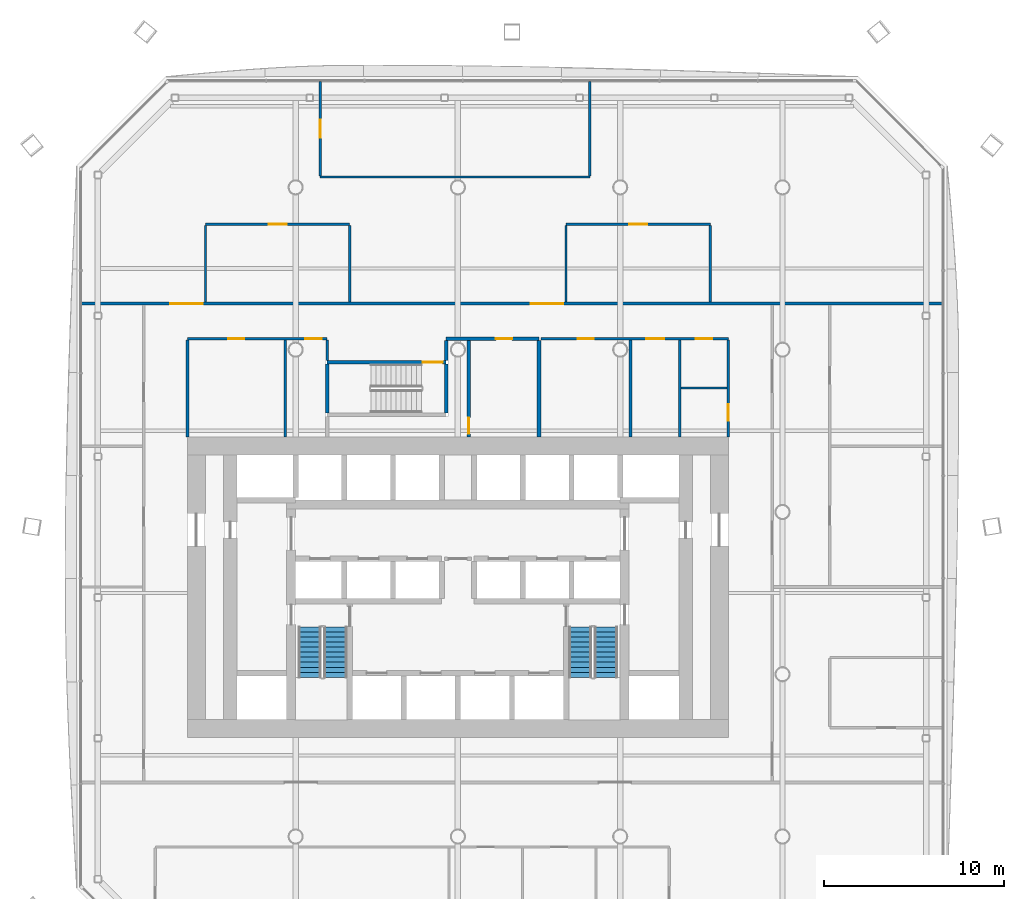
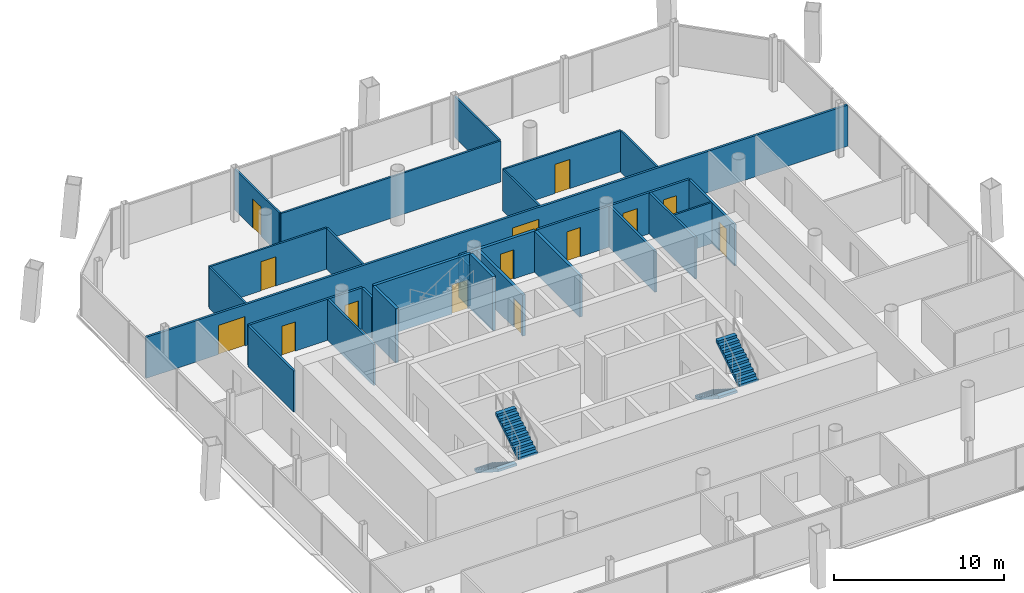
# One storey, part 13 of 19: 26 walls, 14 doors, 4 stair flights, 14 openings, 2 elements without a shape of their own.
"""IFC4 building model written with IfcOpenShell, lengths in metres."""

from ifc_helpers import new_model, si_unit, direction, frame, frame_2d, origin, place, context, subcontext, project, spatial, polyline, rectangle, outline, extrude, material, layer, layer_set, type_object, element, fill, aggregate, save


model = new_model("IFC4")

# Units and contexts
model_context = context("Model", 3, precision=1e-05, world=origin(), true_north=direction((0.0, 1.0)))
body_context = subcontext(model_context, "Body", "Model", "MODEL_VIEW")
ifc_project = project(units=[si_unit("LENGTHUNIT", "METRE"), si_unit("AREAUNIT", "SQUARE_METRE"), si_unit("VOLUMEUNIT", "CUBIC_METRE"), si_unit("PLANEANGLEUNIT", "RADIAN"), si_unit("MASSUNIT", "GRAM", prefix="KILO")], contexts=[model_context])

# Site, building, storey
site_placement = place(None, origin())
site = spatial("IfcSite", under=ifc_project, at=site_placement, CompositionType="ELEMENT")
building_placement = place(site_placement, origin())
building = spatial("IfcBuilding", under=site, at=building_placement, Name="Tskaro Facet Tower", CompositionType="ELEMENT")
storey_placement = place(building_placement, frame((0.0, 0.0, 105.0)))
storey = spatial("IfcBuildingStorey", under=building, at=storey_placement, Name="L25", CompositionType="ELEMENT", Elevation=105.0)

# Wall
ifc_material_1 = material(Name="Gypsum board on steel studs", Category="steel")
ifc_layer_1 = layer(ifc_material_1, 0.125, Name="Gypsum board on steel studs")
ifc_layer_set_1 = layer_set([ifc_layer_1], Name="Gypsum board on steel studs")
wall_type_1 = type_object("IfcWallType", Name="PART", PredefinedType="PARTITIONING", material=ifc_layer_set_1)
wall_1_placement = place(storey_placement, frame((12.375, 6.8779296875, 0.0), z_axis=(0.0, 0.0, 1.0), x_axis=(1.0, 0.0, 0.0)))
element("IfcWall", 1, at=wall_1_placement, inside=storey, type_object=wall_type_1, Name="Partition W020", PredefinedType="PARTITIONING", context=body_context, shape_type="SweptSolid", body=[
    extrude(rectangle(XDim=2.550048828125, YDim=0.125, at=frame_2d((1.27490234375, 0.0))), origin(), (0.0, 0.0, 1.0), 2.9599609375),
])

# Wall, opening, door
wall_2_placement = place(storey_placement, frame((-6.0, 15.955078125, 0.0), z_axis=(0.0, 0.0, 1.0), x_axis=(-1.0, 0.0, 0.0)))
wall_2 = element("IfcWall", 2, at=wall_2_placement, inside=storey, type_object=wall_type_1, Name="Partition W026", PredefinedType="PARTITIONING", context=body_context, shape_type="SweptSolid", body=[
    extrude(rectangle(XDim=8.0, YDim=0.125, at=frame_2d((4.0, 0.0))), origin(), (0.0, 0.0, 1.0), 2.9599609375),
])
opening_1_placement = place(wall_2_placement, frame((3.5, 0.0, 0.0)))
opening_1 = element("IfcOpeningElement", 3, at=opening_1_placement, cuts=wall_2, Name="Opening T7p-D36", PredefinedType="OPENING", context=body_context, shape_type="SweptSolid", body=[
    extrude(rectangle(XDim=1.0, YDim=2.10009765625, at=frame_2d((0.5, 1.050048828125))), frame((0.0, 0.072509765625, 0.0), z_axis=(0.0, -1.0, 0.0), x_axis=(1.0, 0.0, 0.0)), (0.0, 0.0, 1.0), 0.14501953125),
])
ifc_material_2 = material(Name="Timber", Category="wood")
door_type_1 = type_object("IfcDoorType", Name="D-ROOM-WIDE", OperationType="NOTDEFINED", PredefinedType="DOOR", material=ifc_material_2)
door_1_placement = place(opening_1_placement, origin())
door_1 = element("IfcDoor", 4, at=door_1_placement, inside=storey, type_object=door_type_1, Name="Door T7p-D36", OperationType="SINGLE_SWING_RIGHT", OverallHeight=2.10009765625, OverallWidth=1.0, PredefinedType="DOOR", context=body_context, shape_type="SweptSolid", body=[
    extrude(rectangle(XDim=1.0, YDim=2.10009765625, at=frame_2d((0.5, 1.050048828125))), frame((0.0, 0.02490234375, 0.0), z_axis=(0.0, -1.0, 0.0), x_axis=(1.0, 0.0, 0.0)), (0.0, 0.0, 1.0), 0.050048828125),
])
fill(opening_1, door_1)

wall_3_placement = place(storey_placement, frame((14.0, 15.955078125, 0.0), z_axis=(0.0, 0.0, 1.0), x_axis=(-1.0, 0.0, 0.0)))
wall_3 = element("IfcWall", 5, at=wall_3_placement, inside=storey, type_object=wall_type_1, Name="Partition W027", PredefinedType="PARTITIONING", context=body_context, shape_type="SweptSolid", body=[
    extrude(rectangle(XDim=8.0, YDim=0.125, at=frame_2d((4.0, 0.0))), origin(), (0.0, 0.0, 1.0), 2.9599609375),
])
opening_2_placement = place(wall_3_placement, frame((3.5, 0.0, 0.0)))
opening_2 = element("IfcOpeningElement", 6, at=opening_2_placement, cuts=wall_3, Name="Opening T7p-D37", PredefinedType="OPENING", context=body_context, shape_type="SweptSolid", body=[
    extrude(rectangle(XDim=1.0, YDim=2.10009765625, at=frame_2d((0.5, 1.050048828125))), frame((0.0, 0.072509765625, 0.0), z_axis=(0.0, -1.0, 0.0), x_axis=(1.0, 0.0, 0.0)), (0.0, 0.0, 1.0), 0.14501953125),
])
door_2_placement = place(opening_2_placement, origin())
door_2 = element("IfcDoor", 7, at=door_2_placement, inside=storey, type_object=door_type_1, Name="Door T7p-D37", OperationType="SINGLE_SWING_RIGHT", OverallHeight=2.10009765625, OverallWidth=1.0, PredefinedType="DOOR", context=body_context, shape_type="SweptSolid", body=[
    extrude(rectangle(XDim=1.0, YDim=2.10009765625, at=frame_2d((0.5, 1.050048828125))), frame((0.0, 0.02490234375, 0.0), z_axis=(0.0, -1.0, 0.0), x_axis=(1.0, 0.0, 0.0)), (0.0, 0.0, 1.0), 0.050048828125),
])
fill(opening_2, door_2)

# Walls
wall_4_placement = place(storey_placement, frame((-7.634033203125, 18.580078125, 0.0), z_axis=(0.0, 0.0, 1.0), x_axis=(1.0, 0.0, 0.0)))
element("IfcWall", 8, at=wall_4_placement, inside=storey, type_object=wall_type_1, Name="Partition W028", PredefinedType="PARTITIONING", context=body_context, shape_type="SweptSolid", body=[
    extrude(rectangle(XDim=14.9521484375, YDim=0.125, at=frame_2d((7.47607421875, 0.0))), origin(), (0.0, 0.0, 1.0), 2.9599609375),
])
wall_5_placement = place(storey_placement, frame((-14.0, 11.6298828125, 0.0), z_axis=(0.0, 0.0, 1.0), x_axis=(0.0, 1.0, 0.0)))
element("IfcWall", 9, at=wall_5_placement, inside=storey, type_object=wall_type_1, Name="Partition W032", PredefinedType="PARTITIONING", context=body_context, shape_type="SweptSolid", body=[
    extrude(rectangle(XDim=4.2626953125, YDim=0.125, at=frame_2d((2.13134765625, 0.0))), origin(), (0.0, 0.0, 1.0), 2.9599609375),
])

# Wall, opening, door
wall_6_placement = place(storey_placement, frame((-7.634033203125, 23.864990234375, 0.0), z_axis=(0.0, 0.0, 1.0), x_axis=(0.0, -1.0, 0.0)))
wall_6 = element("IfcWall", 10, at=wall_6_placement, inside=storey, type_object=wall_type_1, Name="Partition W035", PredefinedType="PARTITIONING", context=body_context, shape_type="SweptSolid", body=[
    extrude(rectangle(XDim=5.222412109375, YDim=0.125, at=frame_2d((2.611328125, 0.0))), origin(), (0.0, 0.0, 1.0), 2.9599609375),
])
opening_3_placement = place(wall_6_placement, frame((2.111328125, 0.0, 0.0)))
opening_3 = element("IfcOpeningElement", 11, at=opening_3_placement, cuts=wall_6, Name="Opening T7p-D38", PredefinedType="OPENING", context=body_context, shape_type="SweptSolid", body=[
    extrude(rectangle(XDim=1.0, YDim=2.10009765625, at=frame_2d((0.5, 1.050048828125))), frame((0.0, 0.072509765625, 0.0), z_axis=(0.0, -1.0, 0.0), x_axis=(1.0, 0.0, 0.0)), (0.0, 0.0, 1.0), 0.14501953125),
])
door_3_placement = place(opening_3_placement, origin())
door_3 = element("IfcDoor", 12, at=door_3_placement, inside=storey, type_object=door_type_1, Name="Door T7p-D38", OperationType="SINGLE_SWING_RIGHT", OverallHeight=2.10009765625, OverallWidth=1.0, PredefinedType="DOOR", context=body_context, shape_type="SweptSolid", body=[
    extrude(rectangle(XDim=1.0, YDim=2.10009765625, at=frame_2d((0.5, 1.050048828125))), frame((0.0, 0.02490234375, 0.0), z_axis=(0.0, -1.0, 0.0), x_axis=(1.0, 0.0, 0.0)), (0.0, 0.0, 1.0), 0.050048828125),
])
fill(opening_3, door_3)

# Walls
for number, where, z_axis, x_axis, name in (
    (13, (-6.0, 11.6298828125, 0.0), (0.0, 0.0, 1.0), (0.0, 1.0, 0.0), "Partition W042"),
    (14, (6.0, 11.6298828125, 0.0), (0.0, 0.0, 1.0), (0.0, 1.0, 0.0), "Partition W061"),
):
    element("IfcWall", number, at=place(storey_placement, frame(where, z_axis=z_axis, x_axis=x_axis)), inside=storey, type_object=wall_type_1, Name=name, PredefinedType="PARTITIONING", context=body_context, shape_type="SweptSolid", body=[
        extrude(rectangle(XDim=4.2626953125, YDim=0.125, at=frame_2d((2.13134765625, 0.0))), origin(), (0.0, 0.0, 1.0), 2.9599609375),
    ])
wall_7_placement = place(storey_placement, frame((7.318115234375, 18.642578125, 0.0), z_axis=(0.0, 0.0, 1.0), x_axis=(0.0, 1.0, 0.0)))
element("IfcWall", 15, at=wall_7_placement, inside=storey, type_object=wall_type_1, Name="Partition W064", PredefinedType="PARTITIONING", context=body_context, shape_type="SweptSolid", body=[
    extrude(rectangle(XDim=5.222412109375, YDim=0.125, at=frame_2d((2.611328125, 0.0))), origin(), (0.0, 0.0, 1.0), 2.9599609375),
])
wall_8_placement = place(storey_placement, frame((14.0, 11.6298828125, 0.0), z_axis=(0.0, 0.0, 1.0), x_axis=(0.0, 1.0, 0.0)))
element("IfcWall", 16, at=wall_8_placement, inside=storey, type_object=wall_type_1, Name="Partition W070", PredefinedType="PARTITIONING", context=body_context, shape_type="SweptSolid", body=[
    extrude(rectangle(XDim=4.2626953125, YDim=0.125, at=frame_2d((2.13134765625, 0.0))), origin(), (0.0, 0.0, 1.0), 2.9599609375),
])

# Wall, openings, doors
ifc_layer_2 = layer(ifc_material_1, 0.14990234375, Name="Gypsum board on steel studs")
ifc_layer_set_2 = layer_set([ifc_layer_2], Name="Gypsum board on steel studs")
wall_type_2 = type_object("IfcWallType", Name="PART-CORR", PredefinedType="PARTITIONING", material=ifc_layer_set_2)
wall_9_placement = place(storey_placement, frame((-7.25, 9.60498046875, 0.0), z_axis=(0.0, 0.0, 1.0), x_axis=(-1.0, 0.0, 0.0)))
wall_9 = element("IfcWall", 17, at=wall_9_placement, inside=storey, type_object=wall_type_2, Name="Corridor wall W022", PredefinedType="PARTITIONING", context=body_context, shape_type="SweptSolid", body=[
    extrude(rectangle(XDim=7.75, YDim=0.14990234375, at=frame_2d((3.875, 0.0))), origin(), (0.0, 0.0, 1.0), 2.9599609375),
])
opening_4_placement = place(wall_9_placement, frame((0.3125, 0.0, 0.0)))
opening_4 = element("IfcOpeningElement", 18, at=opening_4_placement, cuts=wall_9, Name="Opening T7p-D29", PredefinedType="OPENING", context=body_context, shape_type="SweptSolid", body=[
    extrude(rectangle(XDim=0.89990234375, YDim=2.10009765625, at=frame_2d((0.449951171875, 1.050048828125))), frame((0.0, 0.0849609375, 0.0), z_axis=(0.0, -1.0, 0.0), x_axis=(1.0, 0.0, 0.0)), (0.0, 0.0, 1.0), 0.169921875),
])
opening_5_placement = place(wall_9_placement, frame((4.58740234375, 0.0, 0.0)))
opening_5 = element("IfcOpeningElement", 19, at=opening_5_placement, cuts=wall_9, Name="Opening T7p-D28", PredefinedType="OPENING", context=body_context, shape_type="SweptSolid", body=[
    extrude(rectangle(XDim=0.89990234375, YDim=2.10009765625, at=frame_2d((0.449951171875, 1.050048828125))), frame((0.0, 0.0849609375, 0.0), z_axis=(0.0, -1.0, 0.0), x_axis=(1.0, 0.0, 0.0)), (0.0, 0.0, 1.0), 0.169921875),
])
ifc_material_3 = material(Name="Steel", Category="steel")
door_type_2 = type_object("IfcDoorType", Name="D-RISER", OperationType="NOTDEFINED", PredefinedType="DOOR", material=ifc_material_3)
door_4_placement = place(opening_4_placement, origin())
door_4 = element("IfcDoor", 20, at=door_4_placement, inside=storey, type_object=door_type_2, Name="Door T7p-D29", OperationType="SINGLE_SWING_RIGHT", OverallHeight=2.10009765625, OverallWidth=0.89990234375, PredefinedType="DOOR", context=body_context, shape_type="SweptSolid", body=[
    extrude(rectangle(XDim=0.89990234375, YDim=2.10009765625, at=frame_2d((0.449951171875, 1.050048828125))), frame((0.0, 0.02490234375, 0.0), z_axis=(0.0, -1.0, 0.0), x_axis=(1.0, 0.0, 0.0)), (0.0, 0.0, 1.0), 0.050048828125),
])
fill(opening_4, door_4)
door_type_3 = type_object("IfcDoorType", Name="D-ROOM", OperationType="NOTDEFINED", PredefinedType="DOOR", material=ifc_material_2)
door_5_placement = place(opening_5_placement, origin())
door_5 = element("IfcDoor", 21, at=door_5_placement, inside=storey, type_object=door_type_3, Name="Door T7p-D28", OperationType="SINGLE_SWING_RIGHT", OverallHeight=2.10009765625, OverallWidth=0.89990234375, PredefinedType="DOOR", context=body_context, shape_type="SweptSolid", body=[
    extrude(rectangle(XDim=0.89990234375, YDim=2.10009765625, at=frame_2d((0.449951171875, 1.050048828125))), frame((0.0, 0.02490234375, 0.0), z_axis=(0.0, -1.0, 0.0), x_axis=(1.0, 0.0, 0.0)), (0.0, 0.0, 1.0), 0.050048828125),
])
fill(opening_5, door_5)

wall_10_placement = place(storey_placement, frame((15.0, 9.60498046875, 0.0), z_axis=(0.0, 0.0, 1.0), x_axis=(-1.0, 0.0, 0.0)))
wall_10 = element("IfcWall", 22, at=wall_10_placement, inside=storey, type_object=wall_type_2, Name="Corridor wall W024", PredefinedType="PARTITIONING", context=body_context, shape_type="SweptSolid", body=[
    extrude(rectangle(XDim=10.39990234375, YDim=0.14990234375, at=frame_2d((5.199951171875, 0.0))), origin(), (0.0, 0.0, 1.0), 2.9599609375),
])
opening_6_placement = place(wall_10_placement, frame((0.89990234375, 0.0, 0.0)))
opening_6 = element("IfcOpeningElement", 23, at=opening_6_placement, cuts=wall_10, Name="Opening T7p-D33", PredefinedType="OPENING", context=body_context, shape_type="SweptSolid", body=[
    extrude(rectangle(XDim=0.89990234375, YDim=2.10009765625, at=frame_2d((0.449951171875, 1.050048828125))), frame((0.0, 0.0849609375, 0.0), z_axis=(0.0, -1.0, 0.0), x_axis=(1.0, 0.0, 0.0)), (0.0, 0.0, 1.0), 0.169921875),
])
opening_7_placement = place(wall_10_placement, frame((7.46240234375, 0.0, 0.0)))
opening_7 = element("IfcOpeningElement", 24, at=opening_7_placement, cuts=wall_10, Name="Opening T7p-D31", PredefinedType="OPENING", context=body_context, shape_type="SweptSolid", body=[
    extrude(rectangle(XDim=0.89990234375, YDim=2.10009765625, at=frame_2d((0.449951171875, 1.050048828125))), frame((0.0, 0.0849609375, 0.0), z_axis=(0.0, -1.0, 0.0), x_axis=(1.0, 0.0, 0.0)), (0.0, 0.0, 1.0), 0.169921875),
])
opening_8_placement = place(wall_10_placement, frame((3.5625, 0.0, 0.0)))
opening_8 = element("IfcOpeningElement", 25, at=opening_8_placement, cuts=wall_10, Name="Opening T7p-D32", PredefinedType="OPENING", context=body_context, shape_type="SweptSolid", body=[
    extrude(rectangle(XDim=1.0, YDim=2.10009765625, at=frame_2d((0.5, 1.050048828125))), frame((0.0, 0.0849609375, 0.0), z_axis=(0.0, -1.0, 0.0), x_axis=(1.0, 0.0, 0.0)), (0.0, 0.0, 1.0), 0.169921875),
])
door_6_placement = place(opening_6_placement, origin())
door_6 = element("IfcDoor", 26, at=door_6_placement, inside=storey, type_object=door_type_3, Name="Door T7p-D33", OperationType="SINGLE_SWING_RIGHT", OverallHeight=2.10009765625, OverallWidth=0.89990234375, PredefinedType="DOOR", context=body_context, shape_type="SweptSolid", body=[
    extrude(rectangle(XDim=0.89990234375, YDim=2.10009765625, at=frame_2d((0.449951171875, 1.050048828125))), frame((0.0, 0.02490234375, 0.0), z_axis=(0.0, -1.0, 0.0), x_axis=(1.0, 0.0, 0.0)), (0.0, 0.0, 1.0), 0.050048828125),
])
fill(opening_6, door_6)
door_7_placement = place(opening_7_placement, origin())
door_7 = element("IfcDoor", 27, at=door_7_placement, inside=storey, type_object=door_type_3, Name="Door T7p-D31", OperationType="SINGLE_SWING_RIGHT", OverallHeight=2.10009765625, OverallWidth=0.89990234375, PredefinedType="DOOR", context=body_context, shape_type="SweptSolid", body=[
    extrude(rectangle(XDim=0.89990234375, YDim=2.10009765625, at=frame_2d((0.449951171875, 1.050048828125))), frame((0.0, 0.02490234375, 0.0), z_axis=(0.0, -1.0, 0.0), x_axis=(1.0, 0.0, 0.0)), (0.0, 0.0, 1.0), 0.050048828125),
])
fill(opening_7, door_7)
door_8_placement = place(opening_8_placement, origin())
door_8 = element("IfcDoor", 28, at=door_8_placement, inside=storey, type_object=door_type_1, Name="Door T7p-D32", OperationType="SINGLE_SWING_RIGHT", OverallHeight=2.10009765625, OverallWidth=1.0, PredefinedType="DOOR", context=body_context, shape_type="SweptSolid", body=[
    extrude(rectangle(XDim=1.0, YDim=2.10009765625, at=frame_2d((0.5, 1.050048828125))), frame((0.0, 0.02490234375, 0.0), z_axis=(0.0, -1.0, 0.0), x_axis=(1.0, 0.0, 0.0)), (0.0, 0.0, 1.0), 0.050048828125),
])
fill(opening_8, door_8)

wall_11_placement = place(storey_placement, frame((26.864990234375, 11.554931640625, 0.0), z_axis=(0.0, 0.0, 1.0), x_axis=(-1.0, 0.0, 0.0)))
wall_11 = element("IfcWall", 29, at=wall_11_placement, inside=storey, type_object=wall_type_2, Name="Corridor wall W025", PredefinedType="PARTITIONING", context=body_context, shape_type="SweptSolid", body=[
    extrude(rectangle(XDim=47.72998046875, YDim=0.14990234375, at=frame_2d((23.864990234375, 0.0))), origin(), (0.0, 0.0, 1.0), 2.9599609375),
])
opening_9_placement = place(wall_11_placement, frame((41.014892578125, 0.0, 0.0)))
opening_9 = element("IfcOpeningElement", 30, at=opening_9_placement, cuts=wall_11, Name="Opening T7p-D34", PredefinedType="OPENING", context=body_context, shape_type="SweptSolid", body=[
    extrude(rectangle(XDim=1.800048828125, YDim=2.10009765625, at=frame_2d((0.89990234375, 1.050048828125))), frame((0.0, 0.0849609375, 0.0), z_axis=(0.0, -1.0, 0.0), x_axis=(1.0, 0.0, 0.0)), (0.0, 0.0, 1.0), 0.169921875),
])
opening_10_placement = place(wall_11_placement, frame((21.014892578125, 0.0, 0.0)))
opening_10 = element("IfcOpeningElement", 31, at=opening_10_placement, cuts=wall_11, Name="Opening T7p-D35", PredefinedType="OPENING", context=body_context, shape_type="SweptSolid", body=[
    extrude(rectangle(XDim=1.800048828125, YDim=2.10009765625, at=frame_2d((0.89990234375, 1.050048828125))), frame((0.0, 0.0849609375, 0.0), z_axis=(0.0, -1.0, 0.0), x_axis=(1.0, 0.0, 0.0)), (0.0, 0.0, 1.0), 0.169921875),
])
ifc_material_4 = material(Name="Glass", Category="glass")
door_type_4 = type_object("IfcDoorType", Name="D-ENTRY-PAIR", OperationType="NOTDEFINED", PredefinedType="DOOR", material=ifc_material_4)
door_9_placement = place(opening_9_placement, origin())
door_9 = element("IfcDoor", 32, at=door_9_placement, inside=storey, type_object=door_type_4, Name="Door T7p-D34", OperationType="DOUBLE_DOOR_SINGLE_SWING", OverallHeight=2.10009765625, OverallWidth=1.800048828125, PredefinedType="DOOR", context=body_context, shape_type="SweptSolid", body=[
    extrude(rectangle(XDim=1.800048828125, YDim=2.10009765625, at=frame_2d((0.89990234375, 1.050048828125))), frame((0.0, 0.02490234375, 0.0), z_axis=(0.0, -1.0, 0.0), x_axis=(1.0, 0.0, 0.0)), (0.0, 0.0, 1.0), 0.050048828125),
])
fill(opening_9, door_9)
door_10_placement = place(opening_10_placement, origin())
door_10 = element("IfcDoor", 33, at=door_10_placement, inside=storey, type_object=door_type_4, Name="Door T7p-D35", OperationType="DOUBLE_DOOR_SINGLE_SWING", OverallHeight=2.10009765625, OverallWidth=1.800048828125, PredefinedType="DOOR", context=body_context, shape_type="SweptSolid", body=[
    extrude(rectangle(XDim=1.800048828125, YDim=2.10009765625, at=frame_2d((0.89990234375, 1.050048828125))), frame((0.0, 0.02490234375, 0.0), z_axis=(0.0, -1.0, 0.0), x_axis=(1.0, 0.0, 0.0)), (0.0, 0.0, 1.0), 0.050048828125),
])
fill(opening_10, door_10)

# Walls
for number, where, z_axis, x_axis, name in (
    (34, (-15.0, 4.14990234375, 0.0), (0.0, 0.0, 1.0), (0.0, 1.0, 0.0), "Corridor wall W031"),
    (35, (-9.574951171875, 4.14990234375, 0.0), (0.0, 0.0, 1.0), (0.0, 1.0, 0.0), "Corridor wall W033"),
):
    element("IfcWall", number, at=place(storey_placement, frame(where, z_axis=z_axis, x_axis=x_axis)), inside=storey, type_object=wall_type_2, Name=name, PredefinedType="PARTITIONING", context=body_context, shape_type="SweptSolid", body=[
        extrude(rectangle(XDim=5.380126953125, YDim=0.14990234375, at=frame_2d((2.68994140625, 0.0))), origin(), (0.0, 0.0, 1.0), 2.9599609375),
    ])
wall_12_placement = place(storey_placement, frame((-7.25, 8.39990234375, 0.0), z_axis=(0.0, 0.0, 1.0), x_axis=(0.0, 1.0, 0.0)))
element("IfcWall", 36, at=wall_12_placement, inside=storey, type_object=wall_type_2, Name="Corridor wall W038", PredefinedType="PARTITIONING", context=body_context, shape_type="SweptSolid", body=[
    extrude(rectangle(XDim=1.130126953125, YDim=0.14990234375, at=frame_2d((0.56494140625, 0.0))), origin(), (0.0, 0.0, 1.0), 2.9599609375),
])
for number, where, z_axis, x_axis, name in (
    (37, (9.574951171875, 4.14990234375, 0.0), (0.0, 0.0, 1.0), (0.0, 1.0, 0.0), "Corridor wall W067"),
    (38, (12.300048828125, 4.14990234375, 0.0), (0.0, 0.0, 1.0), (0.0, 1.0, 0.0), "Corridor wall W069"),
):
    element("IfcWall", number, at=place(storey_placement, frame(where, z_axis=z_axis, x_axis=x_axis)), inside=storey, type_object=wall_type_2, Name=name, PredefinedType="PARTITIONING", context=body_context, shape_type="SweptSolid", body=[
        extrude(rectangle(XDim=5.380126953125, YDim=0.14990234375, at=frame_2d((2.68994140625, 0.0))), origin(), (0.0, 0.0, 1.0), 2.9599609375),
    ])

# Wall, opening, door
wall_13_placement = place(storey_placement, frame((15.0, 4.14990234375, 0.0), z_axis=(0.0, 0.0, 1.0), x_axis=(0.0, 1.0, 0.0)))
wall_13 = element("IfcWall", 39, at=wall_13_placement, inside=storey, type_object=wall_type_2, Name="Corridor wall W071", PredefinedType="PARTITIONING", context=body_context, shape_type="SweptSolid", body=[
    extrude(rectangle(XDim=5.380126953125, YDim=0.14990234375, at=frame_2d((2.68994140625, 0.0))), origin(), (0.0, 0.0, 1.0), 2.9599609375),
])
opening_11_placement = place(wall_13_placement, frame((0.9140625, 0.0, 0.0)))
opening_11 = element("IfcOpeningElement", 40, at=opening_11_placement, cuts=wall_13, Name="Opening T7p-D24", PredefinedType="OPENING", context=body_context, shape_type="SweptSolid", body=[
    extrude(rectangle(XDim=0.89990234375, YDim=2.10009765625, at=frame_2d((0.449951171875, 1.050048828125))), frame((0.0, 0.0849609375, 0.0), z_axis=(0.0, -1.0, 0.0), x_axis=(1.0, 0.0, 0.0)), (0.0, 0.0, 1.0), 0.169921875),
])
door_11_placement = place(opening_11_placement, origin())
door_11 = element("IfcDoor", 41, at=door_11_placement, inside=storey, type_object=door_type_3, Name="Door T7p-D24", OperationType="SINGLE_SWING_LEFT", OverallHeight=2.10009765625, OverallWidth=0.89990234375, PredefinedType="DOOR", context=body_context, shape_type="SweptSolid", body=[
    extrude(rectangle(XDim=0.89990234375, YDim=2.10009765625, at=frame_2d((0.449951171875, 1.050048828125))), frame((0.0, 0.02490234375, 0.0), z_axis=(0.0, -1.0, 0.0), x_axis=(1.0, 0.0, 0.0)), (0.0, 0.0, 1.0), 0.050048828125),
])
fill(opening_11, door_11)

ifc_material_5 = material(Name="Concrete C60/75", Category="concrete")
ifc_layer_3 = layer(ifc_material_5, 0.199951171875, Name="Concrete C60/75")
ifc_layer_set_3 = layer_set([ifc_layer_3], Name="Concrete C60/75")
wall_type_3 = type_object("IfcWallType", Name="STAIR-WALL", PredefinedType="SHEAR", material=ifc_layer_set_3)
wall_14_placement = place(storey_placement, frame((-0.64990234375, 8.300048828125, 0.0), z_axis=(0.0, 0.0, 1.0), x_axis=(-1.0, 0.0, 0.0)))
wall_14 = element("IfcWall", 42, at=wall_14_placement, inside=storey, type_object=wall_type_3, Name="Stair wall W021", PredefinedType="SHEAR", context=body_context, shape_type="SweptSolid", body=[
    extrude(rectangle(XDim=6.60009765625, YDim=0.199951171875, at=frame_2d((3.300048828125, 0.0))), origin(), (0.0, 0.0, 1.0), 3.89990234375),
])
opening_12_placement = place(wall_14_placement, frame((0.199951171875, 0.0, 0.0)))
opening_12 = element("IfcOpeningElement", 43, at=opening_12_placement, cuts=wall_14, Name="Opening ST-3-D1", PredefinedType="OPENING", context=body_context, shape_type="SweptSolid", body=[
    extrude(rectangle(XDim=1.10009765625, YDim=2.10009765625, at=frame_2d((0.550048828125, 1.050048828125))), frame((0.0, 0.10986328125, 0.0), z_axis=(0.0, -1.0, 0.0), x_axis=(1.0, 0.0, 0.0)), (0.0, 0.0, 1.0), 0.219970703125),
])
door_type_5 = type_object("IfcDoorType", Name="D-STAIR", OperationType="NOTDEFINED", PredefinedType="DOOR", material=ifc_material_3)
door_12_placement = place(opening_12_placement, origin())
door_12 = element("IfcDoor", 44, at=door_12_placement, inside=storey, type_object=door_type_5, Name="Stair door 3", OperationType="SINGLE_SWING_RIGHT", OverallHeight=2.10009765625, OverallWidth=1.10009765625, PredefinedType="DOOR", context=body_context, shape_type="SweptSolid", body=[
    extrude(rectangle(XDim=1.10009765625, YDim=2.10009765625, at=frame_2d((0.550048828125, 1.050048828125))), frame((0.0, 0.02490234375, 0.0), z_axis=(0.0, -1.0, 0.0), x_axis=(1.0, 0.0, 0.0)), (0.0, 0.0, 1.0), 0.050048828125),
])
fill(opening_12, door_12)

# Walls
for number, where, z_axis, x_axis, name in (
    (45, (-7.25, 5.5, 0.0), (0.0, 0.0, 1.0), (0.0, 1.0, 0.0), "Stair wall W037"),
    (46, (-0.64990234375, 5.5, 0.0), (0.0, 0.0, 1.0), (0.0, 1.0, 0.0), "Stair wall W048"),
):
    element("IfcWall", number, at=place(storey_placement, frame(where, z_axis=z_axis, x_axis=x_axis)), inside=storey, type_object=wall_type_3, Name=name, PredefinedType="SHEAR", context=body_context, shape_type="SweptSolid", body=[
        extrude(rectangle(XDim=2.699951171875, YDim=0.199951171875, at=frame_2d((1.35009765625, 0.0))), origin(), (0.0, 0.0, 1.0), 3.89990234375),
    ])

# Wall, opening, door
ifc_material_6 = material(Name="Concrete C20/25", Category="concrete")
ifc_layer_4 = layer(ifc_material_6, 0.199951171875, Name="Concrete C20/25")
ifc_layer_set_4 = layer_set([ifc_layer_4], Name="Concrete C20/25")
wall_type_4 = type_object("IfcWallType", Name="WALL-RISER", PredefinedType="SOLIDWALL", material=ifc_layer_set_4)
wall_15_placement = place(storey_placement, frame((4.5, 9.60498046875, 0.0), z_axis=(0.0, 0.0, 1.0), x_axis=(-1.0, 0.0, 0.0)))
wall_15 = element("IfcWall", 47, at=wall_15_placement, inside=storey, type_object=wall_type_4, Name="Riser room wall W023", PredefinedType="SOLIDWALL", context=body_context, shape_type="SweptSolid", body=[
    extrude(rectangle(XDim=5.14990234375, YDim=0.199951171875, at=frame_2d((2.574951171875, 0.0))), origin(), (0.0, 0.0, 1.0), 2.9599609375),
])
opening_13_placement = place(wall_15_placement, frame((1.5, 0.0, 0.0)))
opening_13 = element("IfcOpeningElement", 48, at=opening_13_placement, cuts=wall_15, Name="Opening T7p-D30", PredefinedType="OPENING", context=body_context, shape_type="SweptSolid", body=[
    extrude(rectangle(XDim=0.89990234375, YDim=2.10009765625, at=frame_2d((0.449951171875, 1.050048828125))), frame((0.0, 0.10986328125, 0.0), z_axis=(0.0, -1.0, 0.0), x_axis=(1.0, 0.0, 0.0)), (0.0, 0.0, 1.0), 0.219970703125),
])
door_13_placement = place(opening_13_placement, origin())
door_13 = element("IfcDoor", 49, at=door_13_placement, inside=storey, type_object=door_type_2, Name="Door T7p-D30", OperationType="SINGLE_SWING_RIGHT", OverallHeight=2.10009765625, OverallWidth=0.89990234375, PredefinedType="DOOR", context=body_context, shape_type="SweptSolid", body=[
    extrude(rectangle(XDim=0.89990234375, YDim=2.10009765625, at=frame_2d((0.449951171875, 1.050048828125))), frame((0.0, 0.02490234375, 0.0), z_axis=(0.0, -1.0, 0.0), x_axis=(1.0, 0.0, 0.0)), (0.0, 0.0, 1.0), 0.050048828125),
])
fill(opening_13, door_13)

# Wall
wall_16_placement = place(storey_placement, frame((-0.64990234375, 8.39990234375, 0.0), z_axis=(0.0, 0.0, 1.0), x_axis=(0.0, 1.0, 0.0)))
element("IfcWall", 50, at=wall_16_placement, inside=storey, type_object=wall_type_4, Name="Riser room wall W049", PredefinedType="SOLIDWALL", context=body_context, shape_type="SweptSolid", body=[
    extrude(rectangle(XDim=1.10498046875, YDim=0.199951171875, at=frame_2d((0.552490234375, 0.0))), origin(), (0.0, 0.0, 1.0), 2.9599609375),
])

# Wall, opening, door
wall_17_placement = place(storey_placement, frame((0.60009765625, 4.14990234375, 0.0), z_axis=(0.0, 0.0, 1.0), x_axis=(0.0, 1.0, 0.0)))
wall_17 = element("IfcWall", 51, at=wall_17_placement, inside=storey, type_object=wall_type_4, Name="Riser room wall W052", PredefinedType="SOLIDWALL", context=body_context, shape_type="SweptSolid", body=[
    extrude(rectangle(XDim=5.35498046875, YDim=0.199951171875, at=frame_2d((2.677490234375, 0.0))), origin(), (0.0, 0.0, 1.0), 2.9599609375),
])
opening_14_placement = place(wall_17_placement, frame((0.175048828125, 0.0, 0.0)))
opening_14 = element("IfcOpeningElement", 52, at=opening_14_placement, cuts=wall_17, Name="Opening T7p-D23", PredefinedType="OPENING", context=body_context, shape_type="SweptSolid", body=[
    extrude(rectangle(XDim=0.89990234375, YDim=2.10009765625, at=frame_2d((0.449951171875, 1.050048828125))), frame((0.0, 0.10986328125, 0.0), z_axis=(0.0, -1.0, 0.0), x_axis=(1.0, 0.0, 0.0)), (0.0, 0.0, 1.0), 0.219970703125),
])
door_14_placement = place(opening_14_placement, origin())
door_14 = element("IfcDoor", 53, at=door_14_placement, inside=storey, type_object=door_type_2, Name="Door T7p-D23", OperationType="SINGLE_SWING_LEFT", OverallHeight=2.10009765625, OverallWidth=0.89990234375, PredefinedType="DOOR", context=body_context, shape_type="SweptSolid", body=[
    extrude(rectangle(XDim=0.89990234375, YDim=2.10009765625, at=frame_2d((0.449951171875, 1.050048828125))), frame((0.0, 0.02490234375, 0.0), z_axis=(0.0, -1.0, 0.0), x_axis=(1.0, 0.0, 0.0)), (0.0, 0.0, 1.0), 0.050048828125),
])
fill(opening_14, door_14)

# Wall
wall_18_placement = place(storey_placement, frame((4.5, 4.14990234375, 0.0), z_axis=(0.0, 0.0, 1.0), x_axis=(0.0, 1.0, 0.0)))
element("IfcWall", 54, at=wall_18_placement, inside=storey, type_object=wall_type_4, Name="Riser room wall W059", PredefinedType="SOLIDWALL", context=body_context, shape_type="SweptSolid", body=[
    extrude(rectangle(XDim=5.35498046875, YDim=0.199951171875, at=frame_2d((2.677490234375, 0.0))), origin(), (0.0, 0.0, 1.0), 2.9599609375),
])

# Stair, stair flights
ifc_material_7 = material(Name="Concrete C40/50", Category="concrete")
stair_type = type_object("IfcStairType", Name="ST-TWR", PredefinedType="HALF_TURN_STAIR", material=ifc_material_7)
stair_1_placement = place(storey_placement, origin())
stair_1 = element("IfcStair", 55, at=stair_1_placement, inside=storey, type_object=stair_type, Name="L25 Exit stair 1", PredefinedType="HALF_TURN_STAIR")
stair_flight_type = type_object("IfcStairFlightType", Name="SFL-RC", PredefinedType="STRAIGHT", material=ifc_material_7)
stair_flight_1_placement = place(storey_placement, frame((-8.21240234375, -6.375, 0.0), z_axis=(0.0, 0.0, 1.0), x_axis=(0.0, -1.0, 0.0)))
stair_flight_1 = element("IfcStairFlight", 56, at=stair_flight_1_placement, type_object=stair_flight_type, Name="ST-1 flight 1", NumberOfRisers=11, NumberOfTreads=10, PredefinedType="STRAIGHT", RiserHeight=0.177272727, TreadLength=0.28, context=body_context, shape_type="SweptSolid", body=[
    extrude(outline(polyline([(0.0, 0.0), (0.0, 0.17724609375), (0.280029296875, 0.17724609375), (0.280029296875, 0.3544921875), (0.56005859375, 0.3544921875), (0.56005859375, 0.53173828125), (0.840087890625, 0.53173828125), (0.840087890625, 0.708984375), (1.1201171875, 0.708984375), (1.1201171875, 0.886474609375), (1.39990234375, 0.886474609375), (1.39990234375, 1.063720703125), (1.679931640625, 1.063720703125), (1.679931640625, 1.240966796875), (1.9599609375, 1.240966796875), (1.9599609375, 1.418212890625), (2.239990234375, 1.418212890625), (2.239990234375, 1.595458984375), (2.52001953125, 1.595458984375), (2.52001953125, 1.772705078125), (2.800048828125, 1.772705078125), (2.800048828125, 1.949951171875), (2.800048828125, 1.59521484375), (0.2802734375, 0.0), (0.0, 0.0)])), frame((0.0, 0.637451171875, 0.0), z_axis=(0.0, -1.0, 0.0), x_axis=(1.0, 0.0, 0.0)), (0.0, 0.0, 1.0), 1.27490234375),
])
stair_flight_2_placement = place(storey_placement, frame((-6.78759765625, -9.175048828125, 1.949951171875), z_axis=(0.0, 0.0, 1.0), x_axis=(0.0, 1.0, 0.0)))
stair_flight_2 = element("IfcStairFlight", 57, at=stair_flight_2_placement, type_object=stair_flight_type, Name="ST-1 flight 2", NumberOfRisers=11, NumberOfTreads=10, PredefinedType="STRAIGHT", RiserHeight=0.177272727, TreadLength=0.28, context=body_context, shape_type="SweptSolid", body=[
    extrude(outline(polyline([(0.0, 0.0), (0.0, 0.17724609375), (0.280029296875, 0.17724609375), (0.280029296875, 0.3544921875), (0.56005859375, 0.3544921875), (0.56005859375, 0.53173828125), (0.840087890625, 0.53173828125), (0.840087890625, 0.708984375), (1.1201171875, 0.708984375), (1.1201171875, 0.886474609375), (1.39990234375, 0.886474609375), (1.39990234375, 1.063720703125), (1.679931640625, 1.063720703125), (1.679931640625, 1.240966796875), (1.9599609375, 1.240966796875), (1.9599609375, 1.418212890625), (2.239990234375, 1.418212890625), (2.239990234375, 1.595458984375), (2.52001953125, 1.595458984375), (2.52001953125, 1.772705078125), (2.800048828125, 1.772705078125), (2.800048828125, 1.949951171875), (2.800048828125, 1.59521484375), (0.2802734375, 0.0), (0.0, 0.0)])), frame((0.0, 0.637451171875, 0.0), z_axis=(0.0, -1.0, 0.0), x_axis=(1.0, 0.0, 0.0)), (0.0, 0.0, 1.0), 1.27490234375),
])
aggregate(stair_1, [stair_flight_1, stair_flight_2])

stair_2_placement = place(storey_placement, origin())
stair_2 = element("IfcStair", 58, at=stair_2_placement, inside=storey, type_object=stair_type, Name="L25 Exit stair 2", PredefinedType="HALF_TURN_STAIR")
stair_flight_3_placement = place(storey_placement, frame((6.78759765625, -6.375, 0.0), z_axis=(0.0, 0.0, 1.0), x_axis=(0.0, -1.0, 0.0)))
stair_flight_3 = element("IfcStairFlight", 59, at=stair_flight_3_placement, type_object=stair_flight_type, Name="ST-2 flight 1", NumberOfRisers=11, NumberOfTreads=10, PredefinedType="STRAIGHT", RiserHeight=0.177272727, TreadLength=0.28, context=body_context, shape_type="SweptSolid", body=[
    extrude(outline(polyline([(0.0, 0.0), (0.0, 0.17724609375), (0.280029296875, 0.17724609375), (0.280029296875, 0.3544921875), (0.56005859375, 0.3544921875), (0.56005859375, 0.53173828125), (0.840087890625, 0.53173828125), (0.840087890625, 0.708984375), (1.1201171875, 0.708984375), (1.1201171875, 0.886474609375), (1.39990234375, 0.886474609375), (1.39990234375, 1.063720703125), (1.679931640625, 1.063720703125), (1.679931640625, 1.240966796875), (1.9599609375, 1.240966796875), (1.9599609375, 1.418212890625), (2.239990234375, 1.418212890625), (2.239990234375, 1.595458984375), (2.52001953125, 1.595458984375), (2.52001953125, 1.772705078125), (2.800048828125, 1.772705078125), (2.800048828125, 1.949951171875), (2.800048828125, 1.59521484375), (0.2802734375, 0.0), (0.0, 0.0)])), frame((0.0, 0.637451171875, 0.0), z_axis=(0.0, -1.0, 0.0), x_axis=(1.0, 0.0, 0.0)), (0.0, 0.0, 1.0), 1.27490234375),
])
stair_flight_4_placement = place(storey_placement, frame((8.21240234375, -9.175048828125, 1.949951171875), z_axis=(0.0, 0.0, 1.0), x_axis=(0.0, 1.0, 0.0)))
stair_flight_4 = element("IfcStairFlight", 60, at=stair_flight_4_placement, type_object=stair_flight_type, Name="ST-2 flight 2", NumberOfRisers=11, NumberOfTreads=10, PredefinedType="STRAIGHT", RiserHeight=0.177272727, TreadLength=0.28, context=body_context, shape_type="SweptSolid", body=[
    extrude(outline(polyline([(0.0, 0.0), (0.0, 0.17724609375), (0.280029296875, 0.17724609375), (0.280029296875, 0.3544921875), (0.56005859375, 0.3544921875), (0.56005859375, 0.53173828125), (0.840087890625, 0.53173828125), (0.840087890625, 0.708984375), (1.1201171875, 0.708984375), (1.1201171875, 0.886474609375), (1.39990234375, 0.886474609375), (1.39990234375, 1.063720703125), (1.679931640625, 1.063720703125), (1.679931640625, 1.240966796875), (1.9599609375, 1.240966796875), (1.9599609375, 1.418212890625), (2.239990234375, 1.418212890625), (2.239990234375, 1.595458984375), (2.52001953125, 1.595458984375), (2.52001953125, 1.772705078125), (2.800048828125, 1.772705078125), (2.800048828125, 1.949951171875), (2.800048828125, 1.59521484375), (0.2802734375, 0.0), (0.0, 0.0)])), frame((0.0, 0.637451171875, 0.0), z_axis=(0.0, -1.0, 0.0), x_axis=(1.0, 0.0, 0.0)), (0.0, 0.0, 1.0), 1.27490234375),
])
aggregate(stair_2, [stair_flight_3, stair_flight_4])

save(model, "model.ifc")
